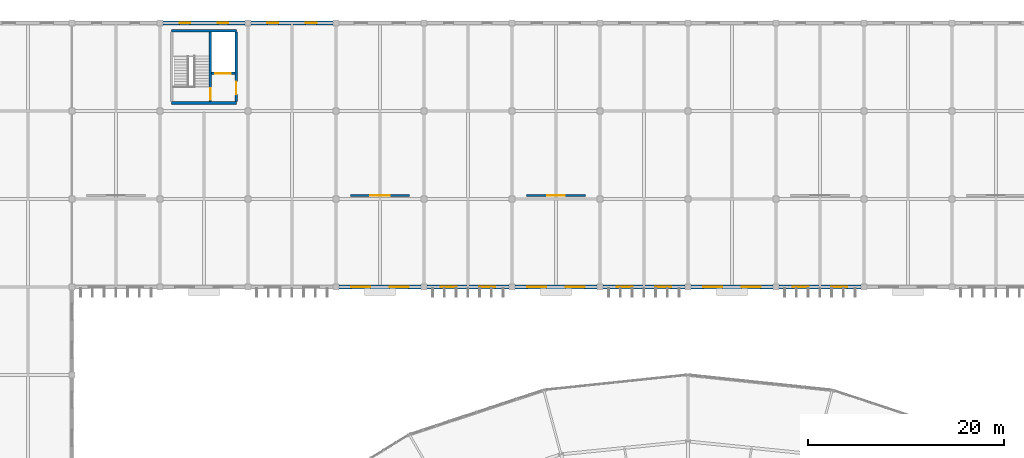
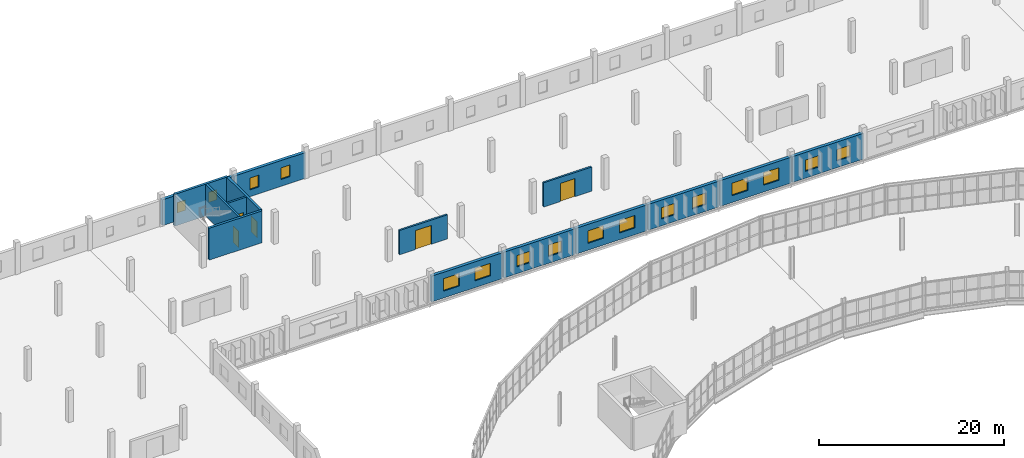
# One storey, part 145 of 161: 16 windows, 15 walls, 5 doors, 21 openings.
"""IFC4 building model written with IfcOpenShell, lengths in metres."""

import ifcopenshell
import ifcopenshell.guid

model = None  # the IFC model being written
_history = None  # IfcOwnerHistory: only IFC2X3 demands one
_inside = {}  # id of a spatial element -> (the spatial element, [elements in it])
_under = {}  # id of a project, library or spatial element -> (it, [spatial elements below it])
_declared = {}  # id of a project -> (the project, [libraries it declares])
_typed = {}  # id of a type object -> (the type object, [elements of that type])
_made_of = {}  # id of a material, layer set ... -> (it, [elements and type objects made of it])


def new_model(schema):
    """Start an empty IFC model of exactly this schema.

    Asked for "IFC4X3", IfcOpenShell would pick the latest addendum, in which some entities
    have other attributes; the version numbers below select the first issue.
    IFC2X3 requires an IfcOwnerHistory on every rooted entity: one is made here for all.
    """
    global model, _history
    if schema == "IFC4X3":
        model = ifcopenshell.file(schema_version=(4, 3, 0, 0))
    else:
        model = ifcopenshell.file(schema=schema)
    _inside.clear()
    _under.clear()
    _declared.clear()
    _typed.clear()
    _made_of.clear()
    _history = None
    if model.schema == "IFC2X3":
        org = make("IfcOrganization", Name="unknown")
        user = make(
            "IfcPersonAndOrganization",
            ThePerson=make("IfcPerson", FamilyName="unknown"),
            TheOrganization=org,
        )
        app = make(
            "IfcApplication",
            ApplicationDeveloper=org,
            Version="unknown",
            ApplicationFullName="unknown",
            ApplicationIdentifier="unknown",
        )
        _history = make(
            "IfcOwnerHistory",
            OwningUser=user,
            OwningApplication=app,
            ChangeAction="ADDED",
            CreationDate=0,
        )
    return model


def make(cls, **values):
    """One entity of the class cls with the attributes given. An attribute that is None is left unset."""
    return model.create_entity(
        cls, **{name: value for name, value in values.items() if value is not None}
    )


def rooted(cls, **values):
    """An entity with a GlobalId (a new one), such as an element, a storey or a relation."""
    return make(cls, GlobalId=ifcopenshell.guid.new(), OwnerHistory=_history, **values)


def si_unit(unit_type, name, prefix=None):
    """IfcSIUnit, for example si_unit("LENGTHUNIT", "METRE", prefix="MILLI")."""
    return make("IfcSIUnit", UnitType=unit_type, Prefix=prefix, Name=name)


def assignment(units):
    """IfcUnitAssignment: the units of a project."""
    return None if units is None else make("IfcUnitAssignment", Units=units)


def point(xyz):
    """IfcCartesianPoint."""
    return None if xyz is None else make("IfcCartesianPoint", Coordinates=xyz)


def direction(xyz):
    """IfcDirection."""
    return None if xyz is None else make("IfcDirection", DirectionRatios=xyz)


def frame(location, z_axis=None, x_axis=None):
    """IfcAxis2Placement3D, a coordinate frame: its origin and axes. An axis left out is left unset."""
    return make(
        "IfcAxis2Placement3D",
        Location=point(location),
        Axis=direction(z_axis),
        RefDirection=direction(x_axis),
    )


def frame_2d(location, x_axis=None):
    """IfcAxis2Placement2D, a coordinate frame in the plane: its origin and x axis."""
    return make(
        "IfcAxis2Placement2D", Location=point(location), RefDirection=direction(x_axis)
    )


def origin():
    """The frame at (0, 0, 0) with its axes left unset."""
    return frame((0.0, 0.0, 0.0))


def place(relative_to, where):
    """IfcLocalPlacement: puts the frame where relative to a parent placement (None: the world)."""
    return make(
        "IfcLocalPlacement", PlacementRelTo=relative_to, RelativePlacement=where
    )


def context(
    kind, dimensions, precision=None, world=None, true_north=None, identifier=None
):
    """IfcGeometricRepresentationContext, for example the 3D "Model" context."""
    return make(
        "IfcGeometricRepresentationContext",
        ContextIdentifier=identifier,
        ContextType=kind,
        CoordinateSpaceDimension=dimensions,
        Precision=precision,
        WorldCoordinateSystem=world,
        TrueNorth=true_north,
    )


def subcontext(parent, identifier, kind, view, scale=None):
    """IfcGeometricRepresentationSubContext, for example "Body" below "Model"."""
    return make(
        "IfcGeometricRepresentationSubContext",
        ContextIdentifier=identifier,
        ContextType=kind,
        ParentContext=parent,
        TargetScale=scale,
        TargetView=view,
    )


def project(units=None, contexts=None):
    """IfcProject with its units and contexts."""
    return rooted(
        "IfcProject",
        Name="project",
        RepresentationContexts=contexts,
        UnitsInContext=assignment(units),
    )


def spatial(cls, under=None, at=None, **own):
    """A site, building, storey or space (cls), placed at a placement, below another one or the project."""
    s = rooted(cls, ObjectPlacement=at, **own)
    if under is not None:
        _under.setdefault(under.id(), (under, []))[1].append(s)
    return s


def profile(cls, at=None, kind="AREA", **sizes):
    """A parametric profile (cls). Its sizes go by their IFC names, for example OverallWidth=200.0."""
    return make(cls, ProfileType=kind, Position=at, **sizes)


def rectangle(**sizes):
    """IfcRectangleProfileDef."""
    return profile("IfcRectangleProfileDef", **sizes)


def extrude(swept, where, along, depth):
    """IfcExtrudedAreaSolid: the profile swept, set in the frame where, extruded along a direction by depth."""
    return make(
        "IfcExtrudedAreaSolid",
        SweptArea=swept,
        Position=where,
        ExtrudedDirection=direction(along),
        Depth=depth,
    )


def shape(context_of_items, identifier, shape_type, items):
    """IfcShapeRepresentation: the items that make up one representation, for example the "Body"."""
    return make(
        "IfcShapeRepresentation",
        ContextOfItems=context_of_items,
        RepresentationIdentifier=identifier,
        RepresentationType=shape_type,
        Items=items,
    )


def material(Name=None, Category=None):
    """IfcMaterial."""
    return make("IfcMaterial", Name=Name, Category=Category)


def layer(
    of_material, thickness, ventilated=None, Name=None, Category=None, Priority=None
):
    """IfcMaterialLayer: one layer of a wall or slab, of a material (None: an air gap)."""
    return make(
        "IfcMaterialLayer",
        Material=of_material,
        LayerThickness=thickness,
        IsVentilated=ventilated,
        Name=Name,
        Category=Category,
        Priority=Priority,
    )


def layer_set(layers, Name=None):
    """IfcMaterialLayerSet."""
    return make("IfcMaterialLayerSet", MaterialLayers=layers, LayerSetName=Name)


def made_of(thing, what):
    """Note that an element or type object is made of a material, layer set ...; save() writes the relation."""
    if what is not None:
        _made_of.setdefault(what.id(), (what, []))[1].append(thing)
    return thing


def type_object(cls, material=None, **own):
    """A type object (cls), such as IfcWallType, which elements share."""
    return made_of(rooted(cls, **own), material)


def element(
    cls,
    number,
    at=None,
    inside=None,
    cuts=None,
    type_object=None,
    material=None,
    context=None,
    identifier="Body",
    shape_type=None,
    held_by="IfcProductDefinitionShape",
    body=None,
    shapes=None,
    **own,
):
    """One element of the class cls, such as IfcWall. Its Tag is "e" and its number.

    at: its placement. inside: the storey or other place that contains it. cuts: it is an
    opening in that element (IfcRelVoidsElement). A single representation is given by context,
    identifier, shape_type and body (its items); several are given by shapes. held_by: the class
    of the entity that holds the representations. save() writes the other relations.
    """
    e = rooted(cls, Tag="e%d" % number, ObjectPlacement=at, **own)
    if body is not None:
        shapes = [shape(context, identifier, shape_type, body)]
    if shapes is not None:
        e.Representation = make(held_by, Representations=shapes)
    if inside is not None:
        _inside.setdefault(inside.id(), (inside, []))[1].append(e)
    if cuts is not None:
        rooted(
            "IfcRelVoidsElement", RelatingBuildingElement=cuts, RelatedOpeningElement=e
        )
    if type_object is not None:
        _typed.setdefault(type_object.id(), (type_object, []))[1].append(e)
    return made_of(e, material)


def fill(opening, filler):
    """IfcRelFillsElement: the door or window that sits in an opening."""
    return rooted(
        "IfcRelFillsElement",
        RelatingOpeningElement=opening,
        RelatedBuildingElement=filler,
    )


def aggregate(whole, parts):
    """IfcRelAggregates: a whole, such as a stair, and the parts it consists of."""
    return rooted("IfcRelAggregates", RelatingObject=whole, RelatedObjects=parts)


def save(model, path):
    """Write the relations noted so far, then the file.

    IfcRelAggregates (storeys below a building ...), IfcRelContainedInSpatialStructure (elements
    in a storey), IfcRelDefinesByType, IfcRelAssociatesMaterial and IfcRelDeclares: one each for
    every whole, place, type object, material and project.
    """
    for whole, parts in _under.values():
        aggregate(whole, parts)
    for where, things in _inside.values():
        rooted(
            "IfcRelContainedInSpatialStructure",
            RelatedElements=things,
            RelatingStructure=where,
        )
    for kind, things in _typed.values():
        rooted("IfcRelDefinesByType", RelatedObjects=things, RelatingType=kind)
    for what, things in _made_of.values():
        rooted("IfcRelAssociatesMaterial", RelatedObjects=things, RelatingMaterial=what)
    for by, libraries in _declared.values():
        rooted("IfcRelDeclares", RelatingContext=by, RelatedDefinitions=libraries)
    model.write(path)


model = new_model("IFC4")

# Units and contexts
model_context = context("Model", 3, precision=1e-05, world=origin(), true_north=direction((0.0, 1.0)))
body_context = subcontext(model_context, "Body", "Model", "MODEL_VIEW")
ifc_project = project(units=[si_unit("LENGTHUNIT", "METRE"), si_unit("AREAUNIT", "SQUARE_METRE"), si_unit("VOLUMEUNIT", "CUBIC_METRE"), si_unit("PLANEANGLEUNIT", "RADIAN"), si_unit("MASSUNIT", "GRAM", prefix="KILO")], contexts=[model_context])

# Site, building, storey
site_placement = place(None, origin())
site = spatial("IfcSite", under=ifc_project, at=site_placement, CompositionType="ELEMENT")
building_placement = place(site_placement, origin())
building = spatial("IfcBuilding", under=site, at=building_placement, Name="Kildeholm Park Wholesale Market", CompositionType="ELEMENT")
storey_placement = place(building_placement, frame((0.0, 0.0, 5.39990234375)))
storey = spatial("IfcBuildingStorey", under=building, at=storey_placement, Name="L01", CompositionType="ELEMENT", Elevation=5.39990234375)

# Wall, openings, windows
ifc_material_1 = material(Name="Precast concrete C40/50 insulated cold-store envelope wall", Category="concrete")
ifc_layer_1 = layer(ifc_material_1, 0.3798828125)
ifc_layer_set_1 = layer_set([ifc_layer_1], Name="Precast concrete C40/50 insulated cold-store envelope wall")
wall_type_1 = type_object("IfcWallType", Name="Exterior wall W-CS1 380 mm", PredefinedType="SOLIDWALL", material=ifc_layer_set_1)
wall_1_placement = place(storey_placement, frame((45.06005859375, 171.0, 0.0), z_axis=(0.0, 0.0, 1.0), x_axis=(1.0, 0.0, 0.0)))
wall_1 = element("IfcWall", 1, at=wall_1_placement, inside=storey, type_object=wall_type_1, Name="Exterior wall V4N-L01.6 WL-0342", PredefinedType="SOLIDWALL", context=body_context, shape_type="SweptSolid", body=[
    extrude(rectangle(XDim=8.8798828125, YDim=0.3798828125, at=frame_2d((4.43994140625, 0.0))), origin(), (0.0, 0.0, 1.0), 3.400146484375),
])
opening_1_placement = place(wall_1_placement, frame((1.9609375, 0.0, 0.89990234375)))
opening_1 = element("IfcOpeningElement", 2, at=opening_1_placement, cuts=wall_1, Name="Opening WN-26", PredefinedType="OPENING", context=body_context, shape_type="SweptSolid", body=[
    extrude(rectangle(XDim=1.050048828125, YDim=1.35009765625, at=frame_2d((0.52490234375, 0.675048828125))), frame((0.0, 0.199951171875, 0.0), z_axis=(0.0, -1.0, 0.0), x_axis=(1.0, 0.0, 0.0)), (0.0, 0.0, 1.0), 0.39990234375),
])
opening_2_placement = place(wall_1_placement, frame((5.868896484375, 0.0, 0.89990234375)))
opening_2 = element("IfcOpeningElement", 3, at=opening_2_placement, cuts=wall_1, Name="Opening WN-26", PredefinedType="OPENING", context=body_context, shape_type="SweptSolid", body=[
    extrude(rectangle(XDim=1.050048828125, YDim=1.35009765625, at=frame_2d((0.52490234375, 0.675048828125))), frame((0.0, 0.199951171875, 0.0), z_axis=(0.0, -1.0, 0.0), x_axis=(1.0, 0.0, 0.0)), (0.0, 0.0, 1.0), 0.39990234375),
])
ifc_material_2 = material(Name="Thermally broken aluminium and triple-glazed low-E glass", Category="aluminium")
window_type_1 = type_object("IfcWindowType", Name="Window WN-26 1050x1350", PartitioningType="SINGLE_PANEL", PredefinedType="WINDOW", material=ifc_material_2)
window_1_placement = place(opening_1_placement, origin())
window_1 = element("IfcWindow", 4, at=window_1_placement, inside=storey, type_object=window_type_1, Name="Window V4N-L01.6.1 WIN-0111", OverallHeight=1.35009765625, OverallWidth=1.050048828125, PartitioningType="SINGLE_PANEL", PredefinedType="WINDOW", context=body_context, shape_type="SweptSolid", body=[
    extrude(rectangle(XDim=1.050048828125, YDim=1.35009765625, at=frame_2d((0.52490234375, 0.675048828125))), frame((0.0, 0.030029296875, 0.0), z_axis=(0.0, -1.0, 0.0), x_axis=(1.0, 0.0, 0.0)), (0.0, 0.0, 1.0), 0.06005859375),
])
fill(opening_1, window_1)
window_2_placement = place(opening_2_placement, origin())
window_2 = element("IfcWindow", 5, at=window_2_placement, inside=storey, type_object=window_type_1, Name="Window V4N-L01.6.2 WIN-0112", OverallHeight=1.35009765625, OverallWidth=1.050048828125, PartitioningType="SINGLE_PANEL", PredefinedType="WINDOW", context=body_context, shape_type="SweptSolid", body=[
    extrude(rectangle(XDim=1.050048828125, YDim=1.35009765625, at=frame_2d((0.52490234375, 0.675048828125))), frame((0.0, 0.030029296875, 0.0), z_axis=(0.0, -1.0, 0.0), x_axis=(1.0, 0.0, 0.0)), (0.0, 0.0, 1.0), 0.06005859375),
])
fill(opening_2, window_2)

wall_2_placement = place(storey_placement, frame((54.06005859375, 171.0, 0.0), z_axis=(0.0, 0.0, 1.0), x_axis=(1.0, 0.0, 0.0)))
wall_2 = element("IfcWall", 6, at=wall_2_placement, inside=storey, type_object=wall_type_1, Name="Exterior wall V4N-L01.7 WL-0343", PredefinedType="SOLIDWALL", context=body_context, shape_type="SweptSolid", body=[
    extrude(rectangle(XDim=8.8798828125, YDim=0.3798828125, at=frame_2d((4.43994140625, 0.0))), origin(), (0.0, 0.0, 1.0), 3.400146484375),
])
opening_3_placement = place(wall_2_placement, frame((1.926025390625, 0.0, 0.89990234375)))
opening_3 = element("IfcOpeningElement", 7, at=opening_3_placement, cuts=wall_2, Name="Opening WN-35", PredefinedType="OPENING", context=body_context, shape_type="SweptSolid", body=[
    extrude(rectangle(XDim=1.1201171875, YDim=1.550048828125, at=frame_2d((0.56005859375, 0.77490234375))), frame((0.0, 0.199951171875, 0.0), z_axis=(0.0, -1.0, 0.0), x_axis=(1.0, 0.0, 0.0)), (0.0, 0.0, 1.0), 0.39990234375),
])
opening_4_placement = place(wall_2_placement, frame((5.833984375, 0.0, 0.89990234375)))
opening_4 = element("IfcOpeningElement", 8, at=opening_4_placement, cuts=wall_2, Name="Opening WN-35", PredefinedType="OPENING", context=body_context, shape_type="SweptSolid", body=[
    extrude(rectangle(XDim=1.1201171875, YDim=1.550048828125, at=frame_2d((0.56005859375, 0.77490234375))), frame((0.0, 0.199951171875, 0.0), z_axis=(0.0, -1.0, 0.0), x_axis=(1.0, 0.0, 0.0)), (0.0, 0.0, 1.0), 0.39990234375),
])
window_type_2 = type_object("IfcWindowType", Name="Window WN-35 1120x1550", PartitioningType="SINGLE_PANEL", PredefinedType="WINDOW", material=ifc_material_2)
window_3_placement = place(opening_3_placement, origin())
window_3 = element("IfcWindow", 9, at=window_3_placement, inside=storey, type_object=window_type_2, Name="Window V4N-L01.7.1 WIN-0113", OverallHeight=1.550048828125, OverallWidth=1.1201171875, PartitioningType="SINGLE_PANEL", PredefinedType="WINDOW", context=body_context, shape_type="SweptSolid", body=[
    extrude(rectangle(XDim=1.1201171875, YDim=1.550048828125, at=frame_2d((0.56005859375, 0.77490234375))), frame((0.0, 0.030029296875, 0.0), z_axis=(0.0, -1.0, 0.0), x_axis=(1.0, 0.0, 0.0)), (0.0, 0.0, 1.0), 0.06005859375),
])
fill(opening_3, window_3)
window_4_placement = place(opening_4_placement, origin())
window_4 = element("IfcWindow", 10, at=window_4_placement, inside=storey, type_object=window_type_2, Name="Window V4N-L01.7.2 WIN-0114", OverallHeight=1.550048828125, OverallWidth=1.1201171875, PartitioningType="SINGLE_PANEL", PredefinedType="WINDOW", context=body_context, shape_type="SweptSolid", body=[
    extrude(rectangle(XDim=1.1201171875, YDim=1.550048828125, at=frame_2d((0.56005859375, 0.77490234375))), frame((0.0, 0.030029296875, 0.0), z_axis=(0.0, -1.0, 0.0), x_axis=(1.0, 0.0, 0.0)), (0.0, 0.0, 1.0), 0.06005859375),
])
fill(opening_4, window_4)

wall_3_placement = place(storey_placement, frame((63.06005859375, 144.0, 0.0), z_axis=(0.0, 0.0, 1.0), x_axis=(1.0, 0.0, 0.0)))
wall_3 = element("IfcWall", 11, at=wall_3_placement, inside=storey, type_object=wall_type_1, Name="Exterior wall V4S-L01.4 WL-0456", PredefinedType="SOLIDWALL", context=body_context, shape_type="SweptSolid", body=[
    extrude(rectangle(XDim=8.8798828125, YDim=0.3798828125, at=frame_2d((4.43994140625, 0.0))), origin(), (0.0, 0.0, 1.0), 3.400146484375),
])
opening_5_placement = place(wall_3_placement, frame((1.510986328125, 0.0, 0.89990234375)))
opening_5 = element("IfcOpeningElement", 12, at=opening_5_placement, cuts=wall_3, Name="Opening WN-22", PredefinedType="OPENING", context=body_context, shape_type="SweptSolid", body=[
    extrude(rectangle(XDim=1.949951171875, YDim=1.64990234375, at=frame_2d((0.97509765625, 0.824951171875))), frame((0.0, 0.199951171875, 0.0), z_axis=(0.0, -1.0, 0.0), x_axis=(1.0, 0.0, 0.0)), (0.0, 0.0, 1.0), 0.39990234375),
])
opening_6_placement = place(wall_3_placement, frame((5.4189453125, 0.0, 0.89990234375)))
opening_6 = element("IfcOpeningElement", 13, at=opening_6_placement, cuts=wall_3, Name="Opening WN-22", PredefinedType="OPENING", context=body_context, shape_type="SweptSolid", body=[
    extrude(rectangle(XDim=1.949951171875, YDim=1.64990234375, at=frame_2d((0.97509765625, 0.824951171875))), frame((0.0, 0.199951171875, 0.0), z_axis=(0.0, -1.0, 0.0), x_axis=(1.0, 0.0, 0.0)), (0.0, 0.0, 1.0), 0.39990234375),
])
window_type_3 = type_object("IfcWindowType", Name="Window WN-22 1950x1650", PartitioningType="DOUBLE_PANEL_VERTICAL", PredefinedType="WINDOW", material=ifc_material_2)
window_5_placement = place(opening_5_placement, origin())
window_5 = element("IfcWindow", 14, at=window_5_placement, inside=storey, type_object=window_type_3, Name="Window V4S-L01.4.1 WIN-0239", OverallHeight=1.64990234375, OverallWidth=1.949951171875, PartitioningType="SINGLE_PANEL", PredefinedType="WINDOW", context=body_context, shape_type="SweptSolid", body=[
    extrude(rectangle(XDim=1.949951171875, YDim=1.64990234375, at=frame_2d((0.97509765625, 0.824951171875))), frame((0.0, 0.030029296875, 0.0), z_axis=(0.0, -1.0, 0.0), x_axis=(1.0, 0.0, 0.0)), (0.0, 0.0, 1.0), 0.06005859375),
])
fill(opening_5, window_5)
window_6_placement = place(opening_6_placement, origin())
window_6 = element("IfcWindow", 15, at=window_6_placement, inside=storey, type_object=window_type_3, Name="Window V4S-L01.4.2 WIN-0240", OverallHeight=1.64990234375, OverallWidth=1.949951171875, PartitioningType="SINGLE_PANEL", PredefinedType="WINDOW", context=body_context, shape_type="SweptSolid", body=[
    extrude(rectangle(XDim=1.949951171875, YDim=1.64990234375, at=frame_2d((0.97509765625, 0.824951171875))), frame((0.0, 0.030029296875, 0.0), z_axis=(0.0, -1.0, 0.0), x_axis=(1.0, 0.0, 0.0)), (0.0, 0.0, 1.0), 0.06005859375),
])
fill(opening_6, window_6)

wall_4_placement = place(storey_placement, frame((72.06005859375, 144.0, 0.0), z_axis=(0.0, 0.0, 1.0), x_axis=(1.0, 0.0, 0.0)))
wall_4 = element("IfcWall", 16, at=wall_4_placement, inside=storey, type_object=wall_type_1, Name="Exterior wall V4S-L01.5 WL-0457", PredefinedType="SOLIDWALL", context=body_context, shape_type="SweptSolid", body=[
    extrude(rectangle(XDim=8.8798828125, YDim=0.3798828125, at=frame_2d((4.43994140625, 0.0))), origin(), (0.0, 0.0, 1.0), 3.400146484375),
])
opening_7_placement = place(wall_4_placement, frame((1.660888671875, 0.0, 0.89990234375)))
opening_7 = element("IfcOpeningElement", 17, at=opening_7_placement, cuts=wall_4, Name="Opening WN-11", PredefinedType="OPENING", context=body_context, shape_type="SweptSolid", body=[
    extrude(rectangle(XDim=1.64990234375, YDim=1.5, at=frame_2d((0.824951171875, 0.75))), frame((0.0, 0.199951171875, 0.0), z_axis=(0.0, -1.0, 0.0), x_axis=(1.0, 0.0, 0.0)), (0.0, 0.0, 1.0), 0.39990234375),
])
opening_8_placement = place(wall_4_placement, frame((5.569091796875, 0.0, 0.89990234375)))
opening_8 = element("IfcOpeningElement", 18, at=opening_8_placement, cuts=wall_4, Name="Opening WN-11", PredefinedType="OPENING", context=body_context, shape_type="SweptSolid", body=[
    extrude(rectangle(XDim=1.64990234375, YDim=1.5, at=frame_2d((0.824951171875, 0.75))), frame((0.0, 0.199951171875, 0.0), z_axis=(0.0, -1.0, 0.0), x_axis=(1.0, 0.0, 0.0)), (0.0, 0.0, 1.0), 0.39990234375),
])
window_type_4 = type_object("IfcWindowType", Name="Window WN-11 1650x1500", PartitioningType="DOUBLE_PANEL_VERTICAL", PredefinedType="WINDOW", material=ifc_material_2)
window_7_placement = place(opening_7_placement, origin())
window_7 = element("IfcWindow", 19, at=window_7_placement, inside=storey, type_object=window_type_4, Name="Window V4S-L01.5.1 WIN-0241", OverallHeight=1.5, OverallWidth=1.64990234375, PartitioningType="SINGLE_PANEL", PredefinedType="WINDOW", context=body_context, shape_type="SweptSolid", body=[
    extrude(rectangle(XDim=1.64990234375, YDim=1.5, at=frame_2d((0.824951171875, 0.75))), frame((0.0, 0.030029296875, 0.0), z_axis=(0.0, -1.0, 0.0), x_axis=(1.0, 0.0, 0.0)), (0.0, 0.0, 1.0), 0.06005859375),
])
fill(opening_7, window_7)
window_8_placement = place(opening_8_placement, origin())
window_8 = element("IfcWindow", 20, at=window_8_placement, inside=storey, type_object=window_type_4, Name="Window V4S-L01.5.2 WIN-0242", OverallHeight=1.5, OverallWidth=1.64990234375, PartitioningType="SINGLE_PANEL", PredefinedType="WINDOW", context=body_context, shape_type="SweptSolid", body=[
    extrude(rectangle(XDim=1.64990234375, YDim=1.5, at=frame_2d((0.824951171875, 0.75))), frame((0.0, 0.030029296875, 0.0), z_axis=(0.0, -1.0, 0.0), x_axis=(1.0, 0.0, 0.0)), (0.0, 0.0, 1.0), 0.06005859375),
])
fill(opening_8, window_8)

wall_5_placement = place(storey_placement, frame((81.06005859375, 144.0, 0.0), z_axis=(0.0, 0.0, 1.0), x_axis=(1.0, 0.0, 0.0)))
wall_5 = element("IfcWall", 21, at=wall_5_placement, inside=storey, type_object=wall_type_1, Name="Exterior wall V4S-L01.6 WL-0458", PredefinedType="SOLIDWALL", context=body_context, shape_type="SweptSolid", body=[
    extrude(rectangle(XDim=8.8798828125, YDim=0.3798828125, at=frame_2d((4.43994140625, 0.0))), origin(), (0.0, 0.0, 1.0), 3.400146484375),
])
opening_9_placement = place(wall_5_placement, frame((1.510986328125, 0.0, 0.89990234375)))
opening_9 = element("IfcOpeningElement", 22, at=opening_9_placement, cuts=wall_5, Name="Opening WN-22", PredefinedType="OPENING", context=body_context, shape_type="SweptSolid", body=[
    extrude(rectangle(XDim=1.949951171875, YDim=1.64990234375, at=frame_2d((0.97509765625, 0.824951171875))), frame((0.0, 0.199951171875, 0.0), z_axis=(0.0, -1.0, 0.0), x_axis=(1.0, 0.0, 0.0)), (0.0, 0.0, 1.0), 0.39990234375),
])
opening_10_placement = place(wall_5_placement, frame((5.4189453125, 0.0, 0.89990234375)))
opening_10 = element("IfcOpeningElement", 23, at=opening_10_placement, cuts=wall_5, Name="Opening WN-22", PredefinedType="OPENING", context=body_context, shape_type="SweptSolid", body=[
    extrude(rectangle(XDim=1.949951171875, YDim=1.64990234375, at=frame_2d((0.97509765625, 0.824951171875))), frame((0.0, 0.199951171875, 0.0), z_axis=(0.0, -1.0, 0.0), x_axis=(1.0, 0.0, 0.0)), (0.0, 0.0, 1.0), 0.39990234375),
])
window_9_placement = place(opening_9_placement, origin())
window_9 = element("IfcWindow", 24, at=window_9_placement, inside=storey, type_object=window_type_3, Name="Window V4S-L01.6.1 WIN-0243", OverallHeight=1.64990234375, OverallWidth=1.949951171875, PartitioningType="SINGLE_PANEL", PredefinedType="WINDOW", context=body_context, shape_type="SweptSolid", body=[
    extrude(rectangle(XDim=1.949951171875, YDim=1.64990234375, at=frame_2d((0.97509765625, 0.824951171875))), frame((0.0, 0.030029296875, 0.0), z_axis=(0.0, -1.0, 0.0), x_axis=(1.0, 0.0, 0.0)), (0.0, 0.0, 1.0), 0.06005859375),
])
fill(opening_9, window_9)
window_10_placement = place(opening_10_placement, origin())
window_10 = element("IfcWindow", 25, at=window_10_placement, inside=storey, type_object=window_type_3, Name="Window V4S-L01.6.2 WIN-0244", OverallHeight=1.64990234375, OverallWidth=1.949951171875, PartitioningType="SINGLE_PANEL", PredefinedType="WINDOW", context=body_context, shape_type="SweptSolid", body=[
    extrude(rectangle(XDim=1.949951171875, YDim=1.64990234375, at=frame_2d((0.97509765625, 0.824951171875))), frame((0.0, 0.030029296875, 0.0), z_axis=(0.0, -1.0, 0.0), x_axis=(1.0, 0.0, 0.0)), (0.0, 0.0, 1.0), 0.06005859375),
])
fill(opening_10, window_10)

wall_6_placement = place(storey_placement, frame((90.06005859375, 144.0, 0.0), z_axis=(0.0, 0.0, 1.0), x_axis=(1.0, 0.0, 0.0)))
wall_6 = element("IfcWall", 26, at=wall_6_placement, inside=storey, type_object=wall_type_1, Name="Exterior wall V4S-L01.7 WL-0459", PredefinedType="SOLIDWALL", context=body_context, shape_type="SweptSolid", body=[
    extrude(rectangle(XDim=8.8798828125, YDim=0.3798828125, at=frame_2d((4.43994140625, 0.0))), origin(), (0.0, 0.0, 1.0), 3.400146484375),
])
opening_11_placement = place(wall_6_placement, frame((1.660888671875, 0.0, 0.89990234375)))
opening_11 = element("IfcOpeningElement", 27, at=opening_11_placement, cuts=wall_6, Name="Opening WN-11", PredefinedType="OPENING", context=body_context, shape_type="SweptSolid", body=[
    extrude(rectangle(XDim=1.64990234375, YDim=1.5, at=frame_2d((0.824951171875, 0.75))), frame((0.0, 0.199951171875, 0.0), z_axis=(0.0, -1.0, 0.0), x_axis=(1.0, 0.0, 0.0)), (0.0, 0.0, 1.0), 0.39990234375),
])
opening_12_placement = place(wall_6_placement, frame((5.569091796875, 0.0, 0.89990234375)))
opening_12 = element("IfcOpeningElement", 28, at=opening_12_placement, cuts=wall_6, Name="Opening WN-11", PredefinedType="OPENING", context=body_context, shape_type="SweptSolid", body=[
    extrude(rectangle(XDim=1.64990234375, YDim=1.5, at=frame_2d((0.824951171875, 0.75))), frame((0.0, 0.199951171875, 0.0), z_axis=(0.0, -1.0, 0.0), x_axis=(1.0, 0.0, 0.0)), (0.0, 0.0, 1.0), 0.39990234375),
])
window_11_placement = place(opening_11_placement, origin())
window_11 = element("IfcWindow", 29, at=window_11_placement, inside=storey, type_object=window_type_4, Name="Window V4S-L01.7.1 WIN-0245", OverallHeight=1.5, OverallWidth=1.64990234375, PartitioningType="SINGLE_PANEL", PredefinedType="WINDOW", context=body_context, shape_type="SweptSolid", body=[
    extrude(rectangle(XDim=1.64990234375, YDim=1.5, at=frame_2d((0.824951171875, 0.75))), frame((0.0, 0.030029296875, 0.0), z_axis=(0.0, -1.0, 0.0), x_axis=(1.0, 0.0, 0.0)), (0.0, 0.0, 1.0), 0.06005859375),
])
fill(opening_11, window_11)
window_12_placement = place(opening_12_placement, origin())
window_12 = element("IfcWindow", 30, at=window_12_placement, inside=storey, type_object=window_type_4, Name="Window V4S-L01.7.2 WIN-0246", OverallHeight=1.5, OverallWidth=1.64990234375, PartitioningType="SINGLE_PANEL", PredefinedType="WINDOW", context=body_context, shape_type="SweptSolid", body=[
    extrude(rectangle(XDim=1.64990234375, YDim=1.5, at=frame_2d((0.824951171875, 0.75))), frame((0.0, 0.030029296875, 0.0), z_axis=(0.0, -1.0, 0.0), x_axis=(1.0, 0.0, 0.0)), (0.0, 0.0, 1.0), 0.06005859375),
])
fill(opening_12, window_12)

wall_7_placement = place(storey_placement, frame((99.06005859375, 144.0, 0.0), z_axis=(0.0, 0.0, 1.0), x_axis=(1.0, 0.0, 0.0)))
wall_7 = element("IfcWall", 31, at=wall_7_placement, inside=storey, type_object=wall_type_1, Name="Exterior wall V4S-L01.8 WL-0460", PredefinedType="SOLIDWALL", context=body_context, shape_type="SweptSolid", body=[
    extrude(rectangle(XDim=8.8798828125, YDim=0.3798828125, at=frame_2d((4.43994140625, 0.0))), origin(), (0.0, 0.0, 1.0), 3.400146484375),
])
opening_13_placement = place(wall_7_placement, frame((1.510986328125, 0.0, 0.89990234375)))
opening_13 = element("IfcOpeningElement", 32, at=opening_13_placement, cuts=wall_7, Name="Opening WN-22", PredefinedType="OPENING", context=body_context, shape_type="SweptSolid", body=[
    extrude(rectangle(XDim=1.949951171875, YDim=1.64990234375, at=frame_2d((0.97509765625, 0.824951171875))), frame((0.0, 0.199951171875, 0.0), z_axis=(0.0, -1.0, 0.0), x_axis=(1.0, 0.0, 0.0)), (0.0, 0.0, 1.0), 0.39990234375),
])
opening_14_placement = place(wall_7_placement, frame((5.4189453125, 0.0, 0.89990234375)))
opening_14 = element("IfcOpeningElement", 33, at=opening_14_placement, cuts=wall_7, Name="Opening WN-22", PredefinedType="OPENING", context=body_context, shape_type="SweptSolid", body=[
    extrude(rectangle(XDim=1.949951171875, YDim=1.64990234375, at=frame_2d((0.97509765625, 0.824951171875))), frame((0.0, 0.199951171875, 0.0), z_axis=(0.0, -1.0, 0.0), x_axis=(1.0, 0.0, 0.0)), (0.0, 0.0, 1.0), 0.39990234375),
])
window_13_placement = place(opening_13_placement, origin())
window_13 = element("IfcWindow", 34, at=window_13_placement, inside=storey, type_object=window_type_3, Name="Window V4S-L01.8.1 WIN-0247", OverallHeight=1.64990234375, OverallWidth=1.949951171875, PartitioningType="SINGLE_PANEL", PredefinedType="WINDOW", context=body_context, shape_type="SweptSolid", body=[
    extrude(rectangle(XDim=1.949951171875, YDim=1.64990234375, at=frame_2d((0.97509765625, 0.824951171875))), frame((0.0, 0.030029296875, 0.0), z_axis=(0.0, -1.0, 0.0), x_axis=(1.0, 0.0, 0.0)), (0.0, 0.0, 1.0), 0.06005859375),
])
fill(opening_13, window_13)
window_14_placement = place(opening_14_placement, origin())
window_14 = element("IfcWindow", 35, at=window_14_placement, inside=storey, type_object=window_type_3, Name="Window V4S-L01.8.2 WIN-0248", OverallHeight=1.64990234375, OverallWidth=1.949951171875, PartitioningType="SINGLE_PANEL", PredefinedType="WINDOW", context=body_context, shape_type="SweptSolid", body=[
    extrude(rectangle(XDim=1.949951171875, YDim=1.64990234375, at=frame_2d((0.97509765625, 0.824951171875))), frame((0.0, 0.030029296875, 0.0), z_axis=(0.0, -1.0, 0.0), x_axis=(1.0, 0.0, 0.0)), (0.0, 0.0, 1.0), 0.06005859375),
])
fill(opening_14, window_14)

wall_8_placement = place(storey_placement, frame((108.06005859375, 144.0, 0.0), z_axis=(0.0, 0.0, 1.0), x_axis=(1.0, 0.0, 0.0)))
wall_8 = element("IfcWall", 36, at=wall_8_placement, inside=storey, type_object=wall_type_1, Name="Exterior wall V4S-L01.9 WL-0461", PredefinedType="SOLIDWALL", context=body_context, shape_type="SweptSolid", body=[
    extrude(rectangle(XDim=8.8798828125, YDim=0.3798828125, at=frame_2d((4.43994140625, 0.0))), origin(), (0.0, 0.0, 1.0), 3.400146484375),
])
opening_15_placement = place(wall_8_placement, frame((1.660888671875, 0.0, 0.89990234375)))
opening_15 = element("IfcOpeningElement", 37, at=opening_15_placement, cuts=wall_8, Name="Opening WN-11", PredefinedType="OPENING", context=body_context, shape_type="SweptSolid", body=[
    extrude(rectangle(XDim=1.64990234375, YDim=1.5, at=frame_2d((0.824951171875, 0.75))), frame((0.0, 0.199951171875, 0.0), z_axis=(0.0, -1.0, 0.0), x_axis=(1.0, 0.0, 0.0)), (0.0, 0.0, 1.0), 0.39990234375),
])
opening_16_placement = place(wall_8_placement, frame((5.569091796875, 0.0, 0.89990234375)))
opening_16 = element("IfcOpeningElement", 38, at=opening_16_placement, cuts=wall_8, Name="Opening WN-11", PredefinedType="OPENING", context=body_context, shape_type="SweptSolid", body=[
    extrude(rectangle(XDim=1.64990234375, YDim=1.5, at=frame_2d((0.824951171875, 0.75))), frame((0.0, 0.199951171875, 0.0), z_axis=(0.0, -1.0, 0.0), x_axis=(1.0, 0.0, 0.0)), (0.0, 0.0, 1.0), 0.39990234375),
])
window_15_placement = place(opening_15_placement, origin())
window_15 = element("IfcWindow", 39, at=window_15_placement, inside=storey, type_object=window_type_4, Name="Window V4S-L01.9.1 WIN-0249", OverallHeight=1.5, OverallWidth=1.64990234375, PartitioningType="SINGLE_PANEL", PredefinedType="WINDOW", context=body_context, shape_type="SweptSolid", body=[
    extrude(rectangle(XDim=1.64990234375, YDim=1.5, at=frame_2d((0.824951171875, 0.75))), frame((0.0, 0.030029296875, 0.0), z_axis=(0.0, -1.0, 0.0), x_axis=(1.0, 0.0, 0.0)), (0.0, 0.0, 1.0), 0.06005859375),
])
fill(opening_15, window_15)
window_16_placement = place(opening_16_placement, origin())
window_16 = element("IfcWindow", 40, at=window_16_placement, inside=storey, type_object=window_type_4, Name="Window V4S-L01.9.2 WIN-0250", OverallHeight=1.5, OverallWidth=1.64990234375, PartitioningType="SINGLE_PANEL", PredefinedType="WINDOW", context=body_context, shape_type="SweptSolid", body=[
    extrude(rectangle(XDim=1.64990234375, YDim=1.5, at=frame_2d((0.824951171875, 0.75))), frame((0.0, 0.030029296875, 0.0), z_axis=(0.0, -1.0, 0.0), x_axis=(1.0, 0.0, 0.0)), (0.0, 0.0, 1.0), 0.06005859375),
])
fill(opening_16, window_16)

# Wall, opening, door
ifc_material_3 = material(Name="Insulated cold-store internal sandwich wall")
ifc_layer_2 = layer(ifc_material_3, 0.22509765625)
ifc_layer_set_2 = layer_set([ifc_layer_2], Name="Insulated cold-store internal sandwich wall")
wall_type_2 = type_object("IfcWallType", Name="Partition W-PT09 225 mm", PredefinedType="PARTITIONING", material=ifc_layer_set_2)
wall_9_placement = place(storey_placement, frame((64.5, 153.35009765625, 0.0), z_axis=(0.0, 0.0, 1.0), x_axis=(1.0, 0.0, 0.0)))
wall_9 = element("IfcWall", 41, at=wall_9_placement, inside=storey, type_object=wall_type_2, Name="Interior partition W-V4-L01-CSS02 WL-0984", PredefinedType="PARTITIONING", context=body_context, shape_type="SweptSolid", body=[
    extrude(rectangle(XDim=6.0, YDim=0.22509765625, at=frame_2d((3.0, 0.0))), origin(), (0.0, 0.0, 1.0), 3.2001953125),
])
opening_17_placement = place(wall_9_placement, frame((2.02490234375, 0.0, 0.0)))
opening_17 = element("IfcOpeningElement", 42, at=opening_17_placement, cuts=wall_9, Name="Opening D-CS03", PredefinedType="OPENING", context=body_context, shape_type="SweptSolid", body=[
    extrude(rectangle(XDim=1.949951171875, YDim=2.5, at=frame_2d((0.97509765625, 1.25))), frame((0.0, 0.12255859375, 0.0), z_axis=(0.0, -1.0, 0.0), x_axis=(1.0, 0.0, 0.0)), (0.0, 0.0, 1.0), 0.2451171875),
])
ifc_material_4 = material(Name="Insulated stainless-steel dairy chiller sliding door", Category="steel")
door_type_1 = type_object("IfcDoorType", Name="Interior door D-CS03 1950x2500", OperationType="NOTDEFINED", PredefinedType="DOOR", material=ifc_material_4)
door_1_placement = place(opening_17_placement, origin())
door_1 = element("IfcDoor", 43, at=door_1_placement, inside=storey, type_object=door_type_1, Name="Interior door V4-L01-CSS02 DR-0259 WL-0984", OperationType="SLIDING_TO_LEFT", OverallHeight=2.5, OverallWidth=1.949951171875, PredefinedType="DOOR", context=body_context, shape_type="SweptSolid", body=[
    extrude(rectangle(XDim=1.949951171875, YDim=2.5, at=frame_2d((0.97509765625, 1.25))), frame((0.0, 0.02490234375, 0.0), z_axis=(0.0, -1.0, 0.0), x_axis=(1.0, 0.0, 0.0)), (0.0, 0.0, 1.0), 0.050048828125),
])
fill(opening_17, door_1)

wall_10_placement = place(storey_placement, frame((82.5, 153.35009765625, 0.0), z_axis=(0.0, 0.0, 1.0), x_axis=(1.0, 0.0, 0.0)))
wall_10 = element("IfcWall", 44, at=wall_10_placement, inside=storey, type_object=wall_type_2, Name="Interior partition W-V4-L01-CSS03 WL-0985", PredefinedType="PARTITIONING", context=body_context, shape_type="SweptSolid", body=[
    extrude(rectangle(XDim=6.0, YDim=0.22509765625, at=frame_2d((3.0, 0.0))), origin(), (0.0, 0.0, 1.0), 3.2001953125),
])
opening_18_placement = place(wall_10_placement, frame((2.10009765625, 0.0, 0.0)))
opening_18 = element("IfcOpeningElement", 45, at=opening_18_placement, cuts=wall_10, Name="Opening D-CS01", PredefinedType="OPENING", context=body_context, shape_type="SweptSolid", body=[
    extrude(rectangle(XDim=1.800048828125, YDim=2.39990234375, at=frame_2d((0.89990234375, 1.199951171875))), frame((0.0, 0.12255859375, 0.0), z_axis=(0.0, -1.0, 0.0), x_axis=(1.0, 0.0, 0.0)), (0.0, 0.0, 1.0), 0.2451171875),
])
ifc_material_5 = material(Name="Insulated stainless-steel sliding cold-store door", Category="steel")
door_type_2 = type_object("IfcDoorType", Name="Interior door D-CS01 1800x2400", OperationType="NOTDEFINED", PredefinedType="DOOR", material=ifc_material_5)
door_2_placement = place(opening_18_placement, origin())
door_2 = element("IfcDoor", 46, at=door_2_placement, inside=storey, type_object=door_type_2, Name="Interior door V4-L01-CSS03 DR-0260 WL-0985", OperationType="SLIDING_TO_RIGHT", OverallHeight=2.39990234375, OverallWidth=1.800048828125, PredefinedType="DOOR", context=body_context, shape_type="SweptSolid", body=[
    extrude(rectangle(XDim=1.800048828125, YDim=2.39990234375, at=frame_2d((0.89990234375, 1.199951171875))), frame((0.0, 0.02490234375, 0.0), z_axis=(0.0, -1.0, 0.0), x_axis=(1.0, 0.0, 0.0)), (0.0, 0.0, 1.0), 0.050048828125),
])
fill(opening_18, door_2)

# Walls
ifc_material_6 = material(Name="Concrete C40/50", Category="concrete")
ifc_layer_3 = layer(ifc_material_6, 0.300048828125)
ifc_layer_set_3 = layer_set([ifc_layer_3], Name="Concrete C40/50")
wall_type_3 = type_object("IfcWallType", Name="Shear wall W-SH1 300 mm", PredefinedType="SHEAR", material=ifc_layer_set_3)
for number, where, z_axis, x_axis, name in (
    (47, (46.199951171875, 162.800048828125, 0.0), (0.0, 0.0, 1.0), (1.0, 0.0, 0.0), "Core C02 south shear wall L01 WL-0671"),
    (48, (46.199951171875, 170.199951171875, 0.0), (0.0, 0.0, 1.0), (1.0, 0.0, 0.0), "Core C02 north shear wall L01 WL-0672"),
):
    element("IfcWall", number, at=place(storey_placement, frame(where, z_axis=z_axis, x_axis=x_axis)), inside=storey, type_object=wall_type_3, Name=name, PredefinedType="SHEAR", context=body_context, shape_type="SweptSolid", body=[
        extrude(rectangle(XDim=6.60009765625, YDim=0.300048828125, at=frame_2d((3.300048828125, 0.0))), origin(), (0.0, 0.0, 1.0), 4.2001953125),
    ])

# Wall, opening, door
wall_11_placement = place(storey_placement, frame((52.800048828125, 162.949951171875, 0.0), z_axis=(0.0, 0.0, 1.0), x_axis=(0.0, 1.0, 0.0)))
wall_11 = element("IfcWall", 49, at=wall_11_placement, inside=storey, type_object=wall_type_3, Name="Core C02 east shear wall L01 WL-0674", PredefinedType="SHEAR", context=body_context, shape_type="SweptSolid", body=[
    extrude(rectangle(XDim=7.10009765625, YDim=0.300048828125, at=frame_2d((3.550048828125, 0.0))), origin(), (0.0, 0.0, 1.0), 4.2001953125),
])
opening_19_placement = place(wall_11_placement, frame((0.75, 0.0, 0.0)))
opening_19 = element("IfcOpeningElement", 50, at=opening_19_placement, cuts=wall_11, Name="Opening D-CR02", PredefinedType="OPENING", context=body_context, shape_type="SweptSolid", body=[
    extrude(rectangle(XDim=1.300048828125, YDim=2.14990234375, at=frame_2d((0.64990234375, 1.074951171875))), frame((0.0, 0.159912109375, 0.0), z_axis=(0.0, -1.0, 0.0), x_axis=(1.0, 0.0, 0.0)), (0.0, 0.0, 1.0), 0.320068359375),
])
ifc_material_7 = material(Name="Painted steel core lobby double-leaf doorset", Category="steel")
door_type_3 = type_object("IfcDoorType", Name="Interior door D-CR02 1300x2150", OperationType="NOTDEFINED", PredefinedType="DOOR", material=ifc_material_7)
door_3_placement = place(opening_19_placement, frame((1.300048828125, 0.0, 0.0), z_axis=(0.0, 0.0, 1.0), x_axis=(-1.0, 0.0, 0.0)))
door_3 = element("IfcDoor", 51, at=door_3_placement, inside=storey, type_object=door_type_3, Name="Core C02 lobby entrance door L01 DR-0086 WL-0674", OperationType="DOUBLE_DOOR_SINGLE_SWING", OverallHeight=2.14990234375, OverallWidth=1.300048828125, PredefinedType="DOOR", context=body_context, shape_type="SweptSolid", body=[
    extrude(rectangle(XDim=1.300048828125, YDim=2.14990234375, at=frame_2d((0.64990234375, 1.074951171875))), frame((0.0, 0.02490234375, 0.0), z_axis=(0.0, -1.0, 0.0), x_axis=(1.0, 0.0, 0.0)), (0.0, 0.0, 1.0), 0.050048828125),
])
fill(opening_19, door_3)

ifc_layer_4 = layer(ifc_material_6, 0.25)
ifc_layer_set_4 = layer_set([ifc_layer_4], Name="Concrete C40/50")
wall_type_4 = type_object("IfcWallType", Name="Shear wall W-SH2 250 mm", PredefinedType="SHEAR", material=ifc_layer_set_4)
wall_12_placement = place(storey_placement, frame((50.14990234375, 162.949951171875, 0.0), z_axis=(0.0, 0.0, 1.0), x_axis=(0.0, 1.0, 0.0)))
wall_12 = element("IfcWall", 52, at=wall_12_placement, inside=storey, type_object=wall_type_4, Name="Core C02 shaft wall L01 WL-0675", PredefinedType="SHEAR", context=body_context, shape_type="SweptSolid", body=[
    extrude(rectangle(XDim=7.10009765625, YDim=0.25, at=frame_2d((3.550048828125, 0.0))), origin(), (0.0, 0.0, 1.0), 4.2001953125),
])
opening_20_placement = place(wall_12_placement, frame((0.199951171875, 0.0, 0.0)))
opening_20 = element("IfcOpeningElement", 53, at=opening_20_placement, cuts=wall_12, Name="Opening D-CR01", PredefinedType="OPENING", context=body_context, shape_type="SweptSolid", body=[
    extrude(rectangle(XDim=1.14990234375, YDim=2.14990234375, at=frame_2d((0.574951171875, 1.074951171875))), frame((0.0, 0.135009765625, 0.0), z_axis=(0.0, -1.0, 0.0), x_axis=(1.0, 0.0, 0.0)), (0.0, 0.0, 1.0), 0.27001953125),
])
ifc_material_8 = material(Name="Painted steel fire escape doorset", Category="steel")
door_type_4 = type_object("IfcDoorType", Name="Interior door D-CR01 1150x2150", OperationType="NOTDEFINED", PredefinedType="DOOR", material=ifc_material_8)
door_4_placement = place(opening_20_placement, frame((1.14990234375, 0.0, 0.0), z_axis=(0.0, 0.0, 1.0), x_axis=(-1.0, 0.0, 0.0)))
door_4 = element("IfcDoor", 54, at=door_4_placement, inside=storey, type_object=door_type_4, Name="Core C02 stair fire door L01 DR-0087 WL-0675", OperationType="SINGLE_SWING_LEFT", OverallHeight=2.14990234375, OverallWidth=1.14990234375, PredefinedType="DOOR", context=body_context, shape_type="SweptSolid", body=[
    extrude(rectangle(XDim=1.14990234375, YDim=2.14990234375, at=frame_2d((0.574951171875, 1.074951171875))), frame((0.0, 0.02490234375, 0.0), z_axis=(0.0, -1.0, 0.0), x_axis=(1.0, 0.0, 0.0)), (0.0, 0.0, 1.0), 0.050048828125),
])
fill(opening_20, door_4)

wall_13_placement = place(storey_placement, frame((50.27001953125, 165.85009765625, 0.0), z_axis=(0.0, 0.0, 1.0), x_axis=(1.0, 0.0, 0.0)))
wall_13 = element("IfcWall", 55, at=wall_13_placement, inside=storey, type_object=wall_type_4, Name="Lift LF-07 shaft front wall L01 WL-0676", PredefinedType="SHEAR", context=body_context, shape_type="SweptSolid", body=[
    extrude(rectangle(XDim=2.3798828125, YDim=0.25, at=frame_2d((1.18994140625, 0.0))), origin(), (0.0, 0.0, 1.0), 4.2001953125),
])
opening_21_placement = place(wall_13_placement, frame((0.389892578125, 0.0, 0.0)))
opening_21 = element("IfcOpeningElement", 56, at=opening_21_placement, cuts=wall_13, Name="Opening LD-07", PredefinedType="OPENING", context=body_context, shape_type="SweptSolid", body=[
    extrude(rectangle(XDim=1.60009765625, YDim=2.300048828125, at=frame_2d((0.800048828125, 1.14990234375))), frame((0.0, 0.135009765625, 0.0), z_axis=(0.0, -1.0, 0.0), x_axis=(1.0, 0.0, 0.0)), (0.0, 0.0, 1.0), 0.27001953125),
])
ifc_material_9 = material(Name="Stainless steel AISI 316 goods lift landing door", Category="steel")
door_type_5 = type_object("IfcDoorType", Name="Interior door D-LD02 1600x2300", OperationType="NOTDEFINED", PredefinedType="DOOR", material=ifc_material_9)
door_5_placement = place(opening_21_placement, origin())
door_5 = element("IfcDoor", 57, at=door_5_placement, inside=storey, type_object=door_type_5, Name="Lift LF-07 sliding landing door L01 DR-0088 WL-0676", OperationType="SLIDING_TO_LEFT", OverallHeight=2.300048828125, OverallWidth=1.60009765625, PredefinedType="DOOR", context=body_context, shape_type="SweptSolid", body=[
    extrude(rectangle(XDim=1.60009765625, YDim=2.300048828125, at=frame_2d((0.800048828125, 1.14990234375))), frame((0.0, 0.02490234375, 0.0), z_axis=(0.0, -1.0, 0.0), x_axis=(1.0, 0.0, 0.0)), (0.0, 0.0, 1.0), 0.050048828125),
])
fill(opening_21, door_5)

save(model, "model.ifc")
